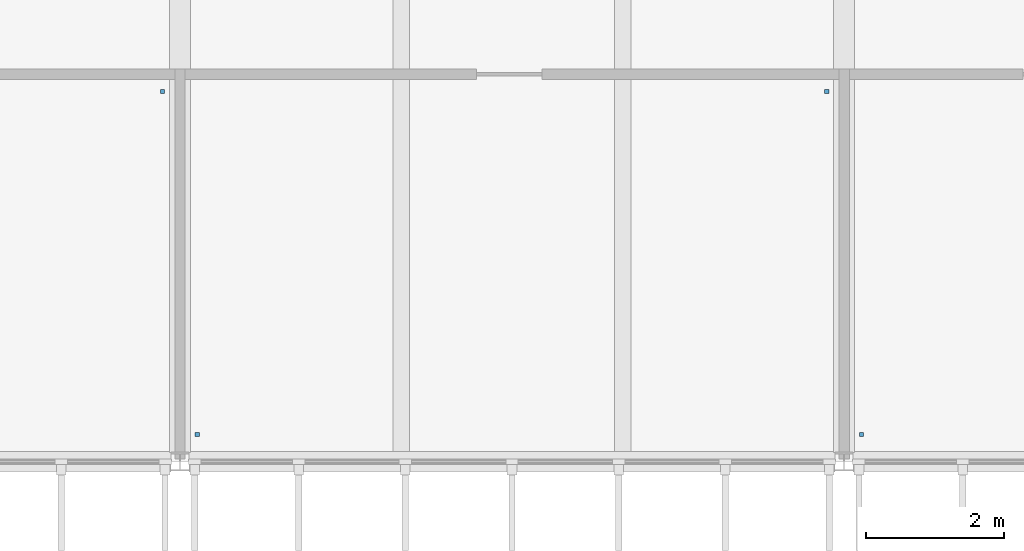
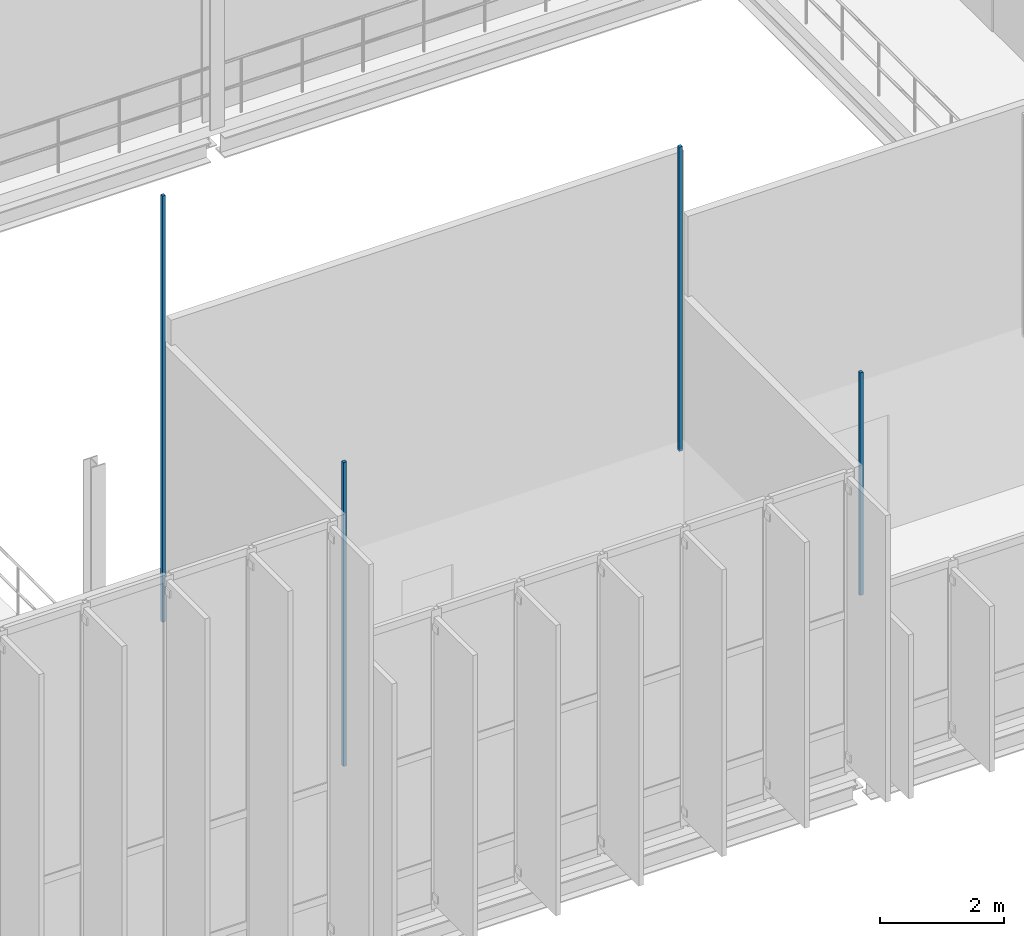
# One storey, part 29 of 41: 4 discrete accessories.
"""IFC4 building model written with IfcOpenShell, lengths in metres."""

from ifc_helpers import new_model, si_unit, direction, frame, origin, place, context, subcontext, project, spatial, polyline, outline, extrude, material, type_object, element, save


model = new_model("IFC4")

# Units and contexts
model_context = context("Model", 3, precision=1e-05, world=origin(), true_north=direction((0.0, 1.0)))
body_context = subcontext(model_context, "Body", "Model", "MODEL_VIEW")
ifc_project = project(units=[si_unit("LENGTHUNIT", "METRE"), si_unit("AREAUNIT", "SQUARE_METRE"), si_unit("VOLUMEUNIT", "CUBIC_METRE"), si_unit("PLANEANGLEUNIT", "RADIAN"), si_unit("MASSUNIT", "GRAM", prefix="KILO")], contexts=[model_context])

# Site, building, storey
site_placement = place(None, origin())
site = spatial("IfcSite", under=ifc_project, at=site_placement, CompositionType="ELEMENT")
building_placement = place(site_placement, origin())
building = spatial("IfcBuilding", under=site, at=building_placement, Name="Dunescarp Central Library", CompositionType="ELEMENT")
storey_placement = place(building_placement, frame((0.0, 0.0, 23.10009765625)))
storey = spatial("IfcBuildingStorey", under=building, at=storey_placement, Name="L05", CompositionType="ELEMENT", Elevation=23.10009765625)

# Discrete accessories
ifc_material = material(Name="Stainless steel Grade 316L", Category="steel")
discrete_accessory_type = type_object("IfcDiscreteAccessoryType", Name="ARC-ACC-BRK", PredefinedType="BRACKET", material=ifc_material)
discrete_accessory_1_placement = place(storey_placement, frame((0.0, 0.0, 3.059814453125)))
element("IfcDiscreteAccessory", 1, at=discrete_accessory_1_placement, inside=storey, type_object=discrete_accessory_type, Name="L05 ceiling hanger CLG-L05-084-H2", PredefinedType="BRACKET", context=body_context, shape_type="SweptSolid", body=[
    extrude(outline(polyline([(47.719970703125, 10.1201171875), (47.780029296875, 10.1201171875), (47.780029296875, 10.179931640625), (47.719970703125, 10.179931640625), (47.719970703125, 10.1201171875)])), origin(), (0.0, 0.0, 1.0), 8.373046875),
])
discrete_accessory_2_placement = place(storey_placement, frame((0.0, 0.0, 3.059814453125)))
element("IfcDiscreteAccessory", 2, at=discrete_accessory_2_placement, inside=storey, type_object=discrete_accessory_type, Name="L05 ceiling hanger CLG-L05-085-H1", PredefinedType="BRACKET", context=body_context, shape_type="SweptSolid", body=[
    extrude(outline(polyline([(48.219970703125, 5.159912109375), (48.280029296875, 5.159912109375), (48.280029296875, 5.219970703125), (48.219970703125, 5.219970703125), (48.219970703125, 5.159912109375)])), origin(), (0.0, 0.0, 1.0), 5.97314453125),
])
discrete_accessory_3_placement = place(storey_placement, frame((0.0, 0.0, 3.059814453125)))
element("IfcDiscreteAccessory", 3, at=discrete_accessory_3_placement, inside=storey, type_object=discrete_accessory_type, Name="L05 ceiling hanger CLG-L05-085-H2", PredefinedType="BRACKET", context=body_context, shape_type="SweptSolid", body=[
    extrude(outline(polyline([(57.320068359375, 10.1201171875), (57.3798828125, 10.1201171875), (57.3798828125, 10.179931640625), (57.320068359375, 10.179931640625), (57.320068359375, 10.1201171875)])), origin(), (0.0, 0.0, 1.0), 5.97314453125),
])
discrete_accessory_4_placement = place(storey_placement, frame((0.0, 0.0, 3.059814453125)))
element("IfcDiscreteAccessory", 4, at=discrete_accessory_4_placement, inside=storey, type_object=discrete_accessory_type, Name="L05 ceiling hanger CLG-L05-086-H1", PredefinedType="BRACKET", context=body_context, shape_type="SweptSolid", body=[
    extrude(outline(polyline([(57.820068359375, 5.159912109375), (57.8798828125, 5.159912109375), (57.8798828125, 5.219970703125), (57.820068359375, 5.219970703125), (57.820068359375, 5.159912109375)])), origin(), (0.0, 0.0, 1.0), 4.373046875),
])

save(model, "model.ifc")
